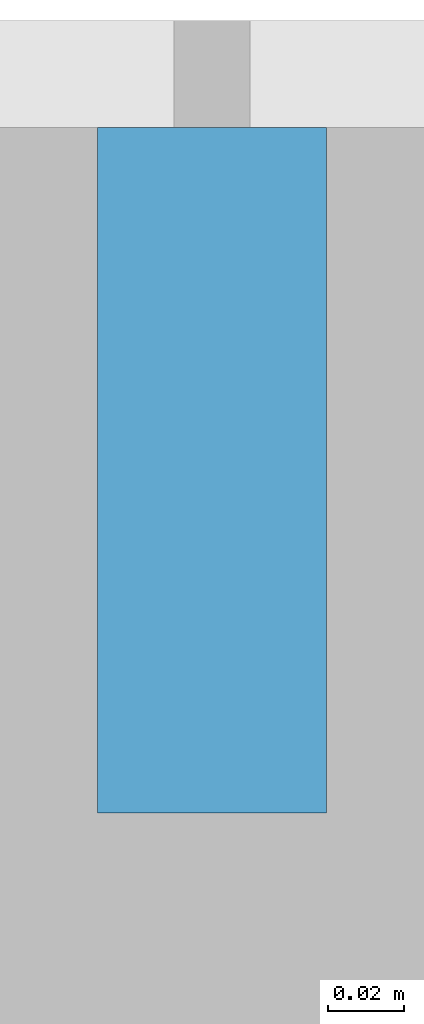
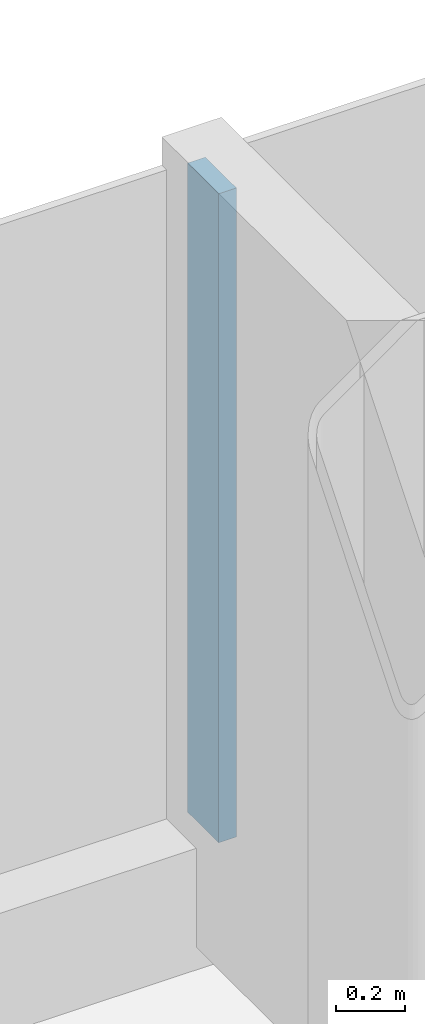
# One storey, part 7 of 25: 1 member, 1 element without a shape of its own.
"""IFC4 building model written with IfcOpenShell, lengths in metres."""

from ifc_helpers import new_model, si_unit, direction, frame, origin, origin_2d, place, context, subcontext, project, spatial, rectangle, extrude, material, layer, layer_set, material_profile, profile_set, type_object, element, aggregate, save


model = new_model("IFC4")

# Units and contexts
model_context = context("Model", 3, precision=1e-05, world=origin(), true_north=direction((0.0, 1.0)))
body_context = subcontext(model_context, "Body", "Model", "MODEL_VIEW")
ifc_project = project(units=[si_unit("LENGTHUNIT", "METRE"), si_unit("AREAUNIT", "SQUARE_METRE"), si_unit("VOLUMEUNIT", "CUBIC_METRE"), si_unit("PLANEANGLEUNIT", "RADIAN"), si_unit("MASSUNIT", "GRAM", prefix="KILO")], contexts=[model_context])

# Site, building, storey
site_placement = place(None, origin())
site = spatial("IfcSite", under=ifc_project, at=site_placement, CompositionType="ELEMENT")
building_placement = place(site_placement, origin())
building = spatial("IfcBuilding", under=site, at=building_placement, Name="Hakoniwa Tower and Hamabe Station Hall", CompositionType="ELEMENT")
storey_placement = place(building_placement, frame((0.0, 0.0, 202.60009765625)))
storey = spatial("IfcBuildingStorey", under=building, at=storey_placement, Name="L57", CompositionType="ELEMENT", Elevation=202.60009765625)

# Curtain wall, member
ifc_material_1 = material(Name="Dark low-e laminated glass", Category="glass")
ifc_layer = layer(ifc_material_1, 0.199951171875)
ifc_layer_set = layer_set([ifc_layer], Name="CW-1 UNITISED GUEST")
curtain_wall_type = type_object("IfcCurtainWallType", Name="CW-1 UNITISED GUEST", PredefinedType="NOTDEFINED", material=ifc_layer_set)
curtain_wall_placement = place(storey_placement, origin())
curtain_wall = element("IfcCurtainWall", 1, at=curtain_wall_placement, inside=storey, type_object=curtain_wall_type, Name="CW-1 curtain wall", PredefinedType="NOTDEFINED")
ifc_material_2 = material(Name="Aluminium 6063-T5 black anodised", Category="aluminium")
ifc_material_profile = material_profile(ifc_material_2, rectangle(XDim=0.06005859375, YDim=0.179931640625, at=origin_2d()), Name="CW-1 MULLION 60X180")
ifc_profile_set = profile_set([ifc_material_profile], Name="Aluminium 6063-T5 black anodised")
member_type = type_object("IfcMemberType", Name="CW-1 MULLION 60X180", PredefinedType="MULLION", material=ifc_profile_set)
member_placement = place(storey_placement, frame((0.0, 20.431884765625, 0.349853515625), z_axis=(0.0, 0.0, 1.0), x_axis=(-1.0, 0.0, 0.0)))
member = element("IfcMember", 2, at=member_placement, type_object=member_type, Name="CW-1 mullion", PredefinedType="MULLION", context=body_context, shape_type="SweptSolid", body=[
    extrude(rectangle(XDim=0.06005859375, YDim=0.179931640625, at=origin_2d()), origin(), (0.0, 0.0, 1.0), 2.300048828125),
])
aggregate(curtain_wall, [member])

save(model, "model.ifc")
